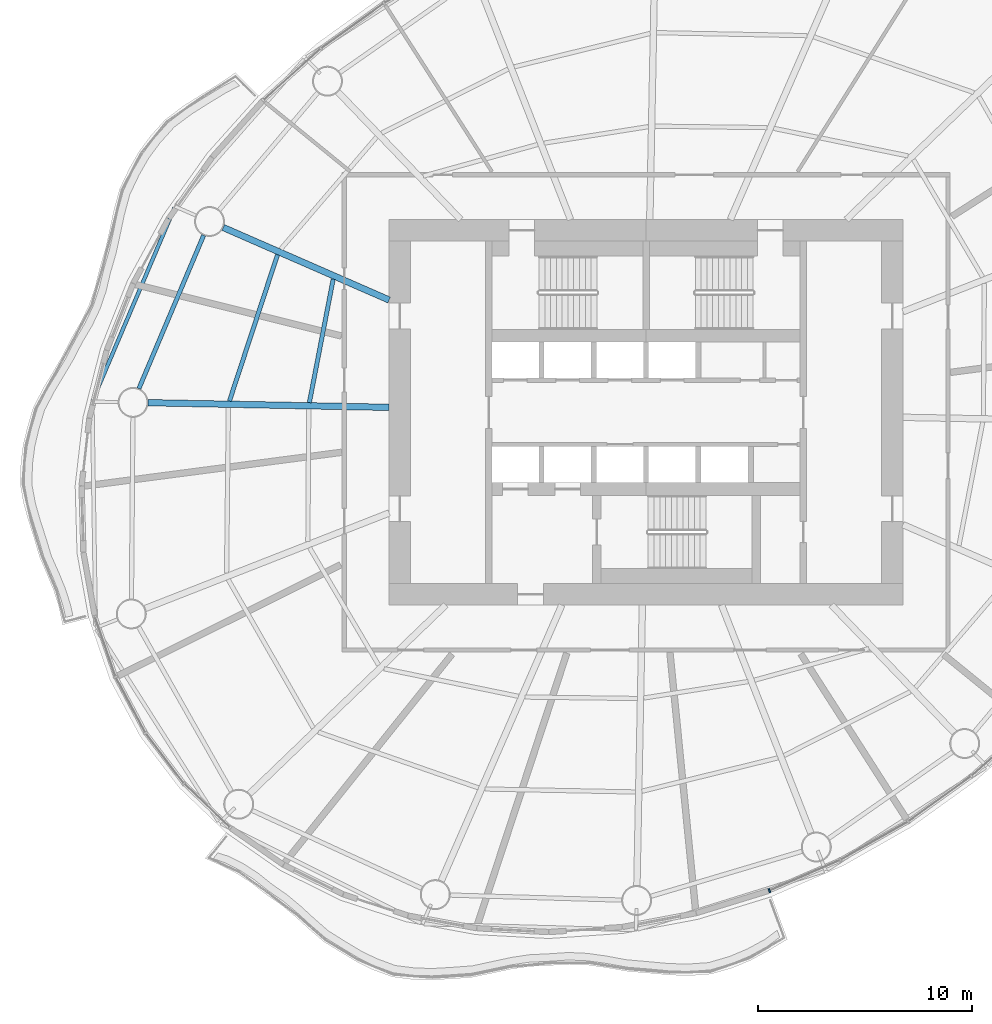
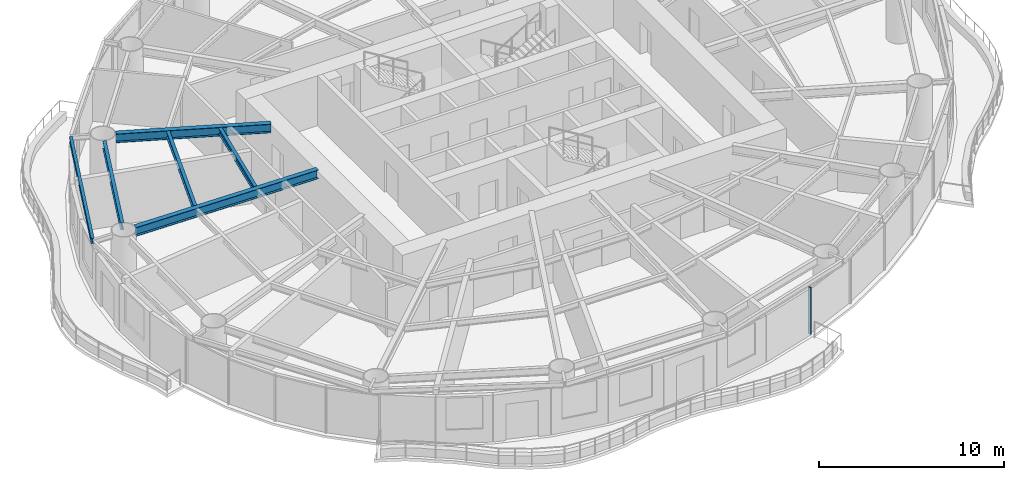
# One storey, part 3 of 14: 6 beams, 1 member, 1 element without a shape of its own.
"""IFC4 building model written with IfcOpenShell, lengths in metres."""

from ifc_helpers import new_model, si_unit, direction, frame, origin, origin_2d, place, context, subcontext, project, spatial, rectangle, i_section, extrude, material, material_profile, profile_set, type_object, element, aggregate, save


model = new_model("IFC4")

# Units and contexts
model_context = context("Model", 3, precision=1e-05, world=origin(), true_north=direction((0.0, 1.0)))
body_context = subcontext(model_context, "Body", "Model", "MODEL_VIEW")
ifc_project = project(units=[si_unit("LENGTHUNIT", "METRE"), si_unit("AREAUNIT", "SQUARE_METRE"), si_unit("VOLUMEUNIT", "CUBIC_METRE"), si_unit("PLANEANGLEUNIT", "RADIAN"), si_unit("MASSUNIT", "GRAM", prefix="KILO")], contexts=[model_context])

# Site, building, storey
site_placement = place(None, origin())
site = spatial("IfcSite", under=ifc_project, at=site_placement, CompositionType="ELEMENT")
building_placement = place(site_placement, origin())
building = spatial("IfcBuilding", under=site, at=building_placement, Name="Vermilion Reach Broadcast Tower", CompositionType="ELEMENT")
storey_placement = place(building_placement, frame((0.0, 0.0, 165.0)))
storey = spatial("IfcBuildingStorey", under=building, at=storey_placement, Name="L39", CompositionType="ELEMENT", Elevation=165.0)

# Beams
ifc_material_1 = material(Name="Steel S355J2", Category="steel")
ifc_material_profile_1 = material_profile(ifc_material_1, i_section(OverallWidth=0.175048828125, OverallDepth=0.35009765625, WebThickness=0.007080078125, FlangeThickness=0.010986328125, at=origin_2d()), Name="S355J2 HN 350x175x7x11")
ifc_profile_set_1 = profile_set([ifc_material_profile_1], Name="Steel S355J2")
beam_type_1 = type_object("IfcBeamType", Name="EB3 HN 350x175x7x11", PredefinedType="BEAM", material=ifc_profile_set_1)
beam_1_placement = place(storey_placement, frame((-28.025146484375, 9.545166015625, 3.27490234375), z_axis=(-0.391075392007, -0.920358646271, 0.0), x_axis=(0.920358646271, -0.391075392007, 0.0)))
element("IfcBeam", 1, at=beam_1_placement, inside=storey, type_object=beam_type_1, Name="Edge beam EB3-06", PredefinedType="BEAM", context=body_context, shape_type="SweptSolid", body=[
    extrude(i_section(OverallWidth=0.175048828125, OverallDepth=0.35009765625, WebThickness=0.007080078125, FlangeThickness=0.010986328125, at=origin_2d()), origin(), (0.0, 0.0, 1.0), 9.74560546875),
])
ifc_material_2 = material(Name="Steel S355J2", Category="steel")
ifc_material_profile_2 = material_profile(ifc_material_2, i_section(OverallWidth=0.300048828125, OverallDepth=0.587890625, WebThickness=0.011962890625, FlangeThickness=0.02001953125, at=origin_2d()), Name="S355J2 HM 588x300x12x20")
ifc_profile_set_2 = profile_set([ifc_material_profile_2], Name="Steel S355J2")
beam_type_2 = type_object("IfcBeamType", Name="G3 HM 588x300x12x20", PredefinedType="BEAM", material=ifc_profile_set_2)
beam_2_placement = place(storey_placement, frame((-18.0, 5.2451171875, 3.156005859375), z_axis=(-0.916287847036, 0.400520388213, 0.0), x_axis=(-0.400520388213, -0.916287847036, 0.0)))
element("IfcBeam", 2, at=beam_2_placement, inside=storey, type_object=beam_type_2, Name="Girder G3-06", PredefinedType="BEAM", context=body_context, shape_type="SweptSolid", body=[
    extrude(i_section(OverallWidth=0.300048828125, OverallDepth=0.587890625, WebThickness=0.011962890625, FlangeThickness=0.02001953125, at=origin_2d()), origin(), (0.0, 0.0, 1.0), 8.45458984375),
])
beam_3_placement = place(storey_placement, frame((-18.0, 0.232421875, 3.156005859375), z_axis=(-0.999812170888, 0.019380994401, 0.0), x_axis=(-0.019380994401, -0.999812170888, 0.0)))
element("IfcBeam", 3, at=beam_3_placement, inside=storey, type_object=beam_type_2, Name="Girder G3-07", PredefinedType="BEAM", context=body_context, shape_type="SweptSolid", body=[
    extrude(i_section(OverallWidth=0.300048828125, OverallDepth=0.587890625, WebThickness=0.011962890625, FlangeThickness=0.02001953125, at=origin_2d()), origin(), (0.0, 0.0, 1.0), 11.26171875),
])
ifc_material_3 = material(Name="Steel S355J2", Category="steel")
ifc_material_profile_3 = material_profile(ifc_material_3, i_section(OverallWidth=0.199951171875, OverallDepth=0.5, WebThickness=0.010009765625, FlangeThickness=0.01611328125, at=origin_2d()), Name="S355J2 HN 500x200x10x16")
ifc_profile_set_3 = profile_set([ifc_material_profile_3], Name="Steel S355J2")
beam_type_3 = type_object("IfcBeamType", Name="RB3 HN 500x200x10x16", PredefinedType="BEAM", material=ifc_profile_set_3)
beam_4_placement = place(storey_placement, frame((-26.660888671875, 8.266845703125, 3.199951171875), z_axis=(-0.389368386196, -0.921082113512, 0.0), x_axis=(0.921082113512, -0.389368386196, 0.0)))
element("IfcBeam", 4, at=beam_4_placement, inside=storey, type_object=beam_type_3, Name="Ring beam RB3-06", PredefinedType="BEAM", context=body_context, shape_type="SweptSolid", body=[
    extrude(i_section(OverallWidth=0.199951171875, OverallDepth=0.5, WebThickness=0.010009765625, FlangeThickness=0.01611328125, at=origin_2d()), origin(), (0.0, 0.0, 1.0), 7.771240234375),
])
ifc_material_4 = material(Name="Steel S355J2", Category="steel")
ifc_material_profile_4 = material_profile(ifc_material_4, i_section(OverallWidth=0.199951171875, OverallDepth=0.39990234375, WebThickness=0.008056640625, FlangeThickness=0.012939453125, at=origin_2d()), Name="S355J2 HN 400x200x8x13")
ifc_profile_set_4 = profile_set([ifc_material_profile_4], Name="Steel S355J2")
beam_type_4 = type_object("IfcBeamType", Name="SB3 HN 400x200x8x13", PredefinedType="BEAM", material=ifc_profile_set_4)
beam_5_placement = place(storey_placement, frame((-20.611328125, 6.222900390625, 3.25), z_axis=(-0.189462365782, -0.981887983404, 0.0), x_axis=(0.981887983404, -0.189462365782, 0.0)))
element("IfcBeam", 5, at=beam_5_placement, inside=storey, type_object=beam_type_4, Name="Secondary beam SB3-06-1", PredefinedType="BEAM", context=body_context, shape_type="SweptSolid", body=[
    extrude(i_section(OverallWidth=0.199951171875, OverallDepth=0.39990234375, WebThickness=0.008056640625, FlangeThickness=0.012939453125, at=origin_2d()), origin(), (0.0, 0.0, 1.0), 5.874755859375),
])
beam_6_placement = place(storey_placement, frame((-23.211669921875, 7.359375, 3.25), z_axis=(-0.312243016281, -0.950002262515, 0.0), x_axis=(0.950002262515, -0.312243016281, 0.0)))
element("IfcBeam", 6, at=beam_6_placement, inside=storey, type_object=beam_type_4, Name="Secondary beam SB3-06-2", PredefinedType="BEAM", context=body_context, shape_type="SweptSolid", body=[
    extrude(i_section(OverallWidth=0.199951171875, OverallDepth=0.39990234375, WebThickness=0.008056640625, FlangeThickness=0.012939453125, at=origin_2d()), origin(), (0.0, 0.0, 1.0), 7.19189453125),
])

# Curtain wall, member
ifc_material_5 = material(Name="Low-e laminated clear glass in aluminium frame", Category="aluminium")
curtain_wall_type = type_object("IfcCurtainWallType", Name="Slot curtain wall", PredefinedType="NOTDEFINED", material=ifc_material_5)
curtain_wall_placement = place(storey_placement, origin())
curtain_wall = element("IfcCurtainWall", 7, at=curtain_wall_placement, inside=storey, type_object=curtain_wall_type, Name="Slot curtain wall L39 34", PredefinedType="NOTDEFINED")
ifc_material_6 = material(Name="Anodised aluminium", Category="aluminium")
ifc_material_profile_5 = material_profile(ifc_material_6, rectangle(XDim=0.199951171875, YDim=0.080078125, at=origin_2d()), Name="Slot mullion 80 x 200")
ifc_profile_set_5 = profile_set([ifc_material_profile_5], Name="Anodised aluminium")
member_type = type_object("IfcMemberType", Name="Slot mullion 80 x 200", PredefinedType="MULLION", material=ifc_profile_set_5)
member_placement = place(storey_placement, frame((-0.240234375, -22.337646484375, 0.0), z_axis=(0.0, 0.0, 1.0), x_axis=(-0.345936956718, 0.938257758815, 0.0)))
member = element("IfcMember", 8, at=member_placement, type_object=member_type, Name="Slot mullion L39 34", PredefinedType="MULLION", context=body_context, shape_type="SweptSolid", body=[
    extrude(rectangle(XDim=0.199951171875, YDim=0.080078125, at=origin_2d()), origin(), (0.0, 0.0, 1.0), 3.10009765625),
])
aggregate(curtain_wall, [member])

save(model, "model.ifc")
